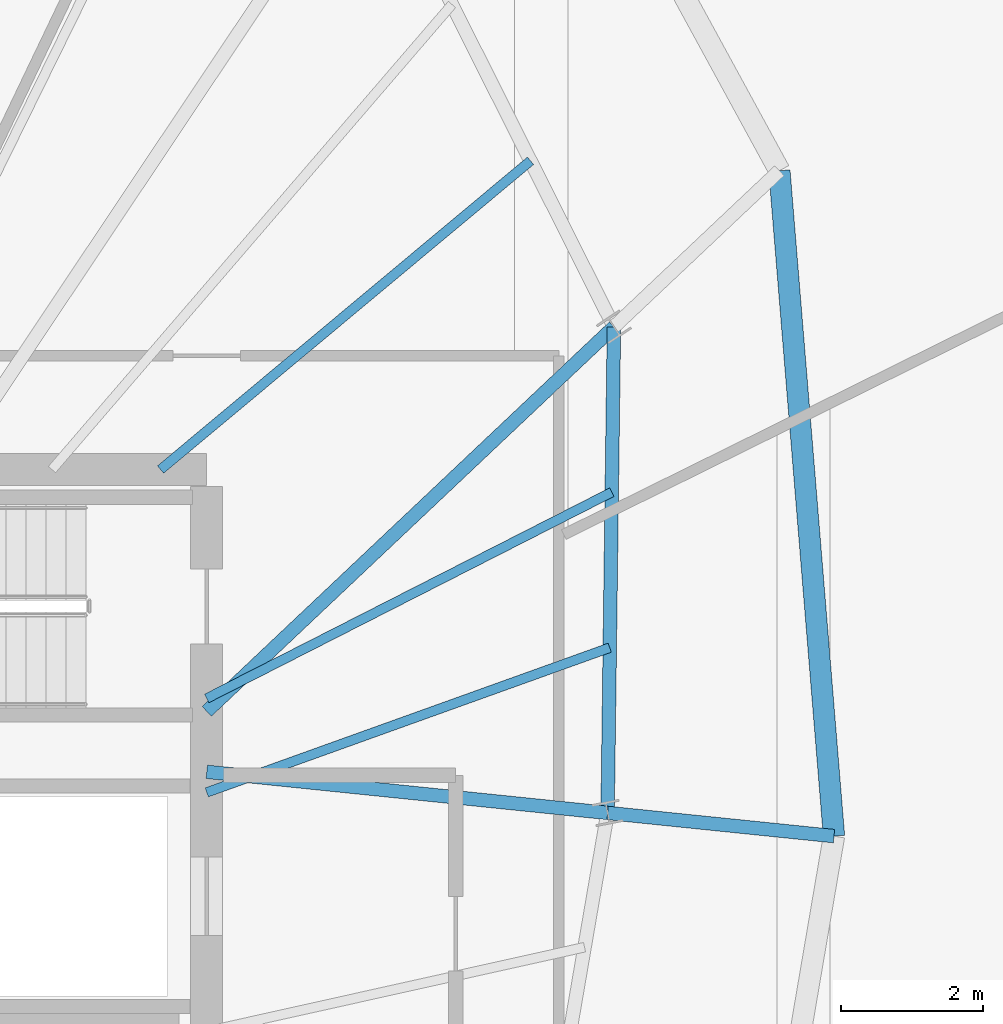
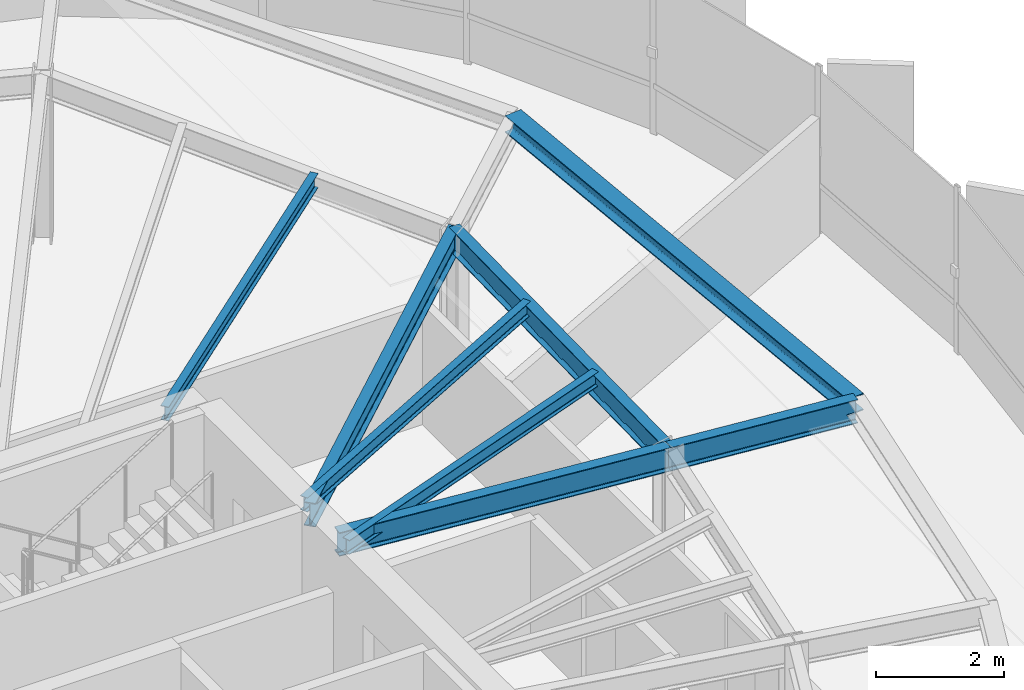
# One storey, part 16 of 33: 8 beams.
"""IFC4 building model written with IfcOpenShell, lengths in metres."""

from ifc_helpers import new_model, si_unit, direction, frame, origin, origin_2d, place, context, subcontext, project, spatial, i_section, extrude, source, transform, mapped, material, material_profile, profile_set, type_object, element, save


model = new_model("IFC4")

# Units and contexts
model_context = context("Model", 3, precision=1e-05, world=origin(), true_north=direction((0.0, 1.0)))
body_context = subcontext(model_context, "Body", "Model", "MODEL_VIEW")
ifc_project = project(units=[si_unit("LENGTHUNIT", "METRE"), si_unit("AREAUNIT", "SQUARE_METRE"), si_unit("VOLUMEUNIT", "CUBIC_METRE"), si_unit("PLANEANGLEUNIT", "RADIAN"), si_unit("MASSUNIT", "GRAM", prefix="KILO"), si_unit("THERMODYNAMICTEMPERATUREUNIT", "KELVIN")], contexts=[model_context])

# Site, building, storey
site_placement = place(None, origin())
site = spatial("IfcSite", under=ifc_project, at=site_placement, CompositionType="ELEMENT")
building_placement = place(site_placement, origin())
building = spatial("IfcBuilding", under=site, at=building_placement, Name="Kethvar Cultural Tower", CompositionType="ELEMENT")
storey_placement = place(building_placement, frame((0.0, 0.0, 235.300048828125)))
storey = spatial("IfcBuildingStorey", under=building, at=storey_placement, Name="L61", CompositionType="ELEMENT", Elevation=235.300048828125)

# Beams
ifc_material = material(Name="Steel S355J2", Category="steel")
ifc_material_profile_1 = material_profile(ifc_material, i_section(OverallWidth=0.18994140625, OverallDepth=0.449951171875, WebThickness=0.009521484375, FlangeThickness=0.0146484375, FilletRadius=0.02099609375, at=origin_2d()), Name="Steel S355J2 — IPE450")
ifc_profile_set_1 = profile_set([ifc_material_profile_1], Name="Steel S355J2 — IPE450")
beam_type_1 = type_object("IfcBeamType", Name="BM-IPE450", PredefinedType="BEAM", material=ifc_profile_set_1)
shared_shape_1 = source(origin(), body_context, "Body", "SweptSolid", [
    extrude(i_section(OverallWidth=0.18994140625, OverallDepth=0.449951171875, WebThickness=0.009521484375, FlangeThickness=0.0146484375, FilletRadius=0.02099609375, at=origin_2d()), origin(), (0.0, 0.0, 1.0), 5.66650390625),
])
beam_1_placement = place(storey_placement, frame((55.60009765625, 31.25, 2.98291015625), z_axis=(0.994777513459, -0.102067128476, 0.0), x_axis=(0.102067128476, 0.994777513459, 0.0)))
element("IfcBeam", 1, at=beam_1_placement, inside=storey, type_object=beam_type_1, Name="L61 Primary Radial Beam RB-01", PredefinedType="BEAM", context=body_context, shape_type="MappedRepresentation", body=[
    mapped(shared_shape_1, transform((0.0, 0.0, 0.0), scale=1.0)),
])
shared_shape_2 = source(origin(), body_context, "Body", "SweptSolid", [
    extrude(i_section(OverallWidth=0.18994140625, OverallDepth=0.449951171875, WebThickness=0.009521484375, FlangeThickness=0.0146484375, FilletRadius=0.02099609375, at=origin_2d()), origin(), (0.0, 0.0, 1.0), 3.199951171875),
])
beam_2_placement = place(storey_placement, frame((61.237060546875, 30.671630859375, 2.98291015625), z_axis=(0.994784019447, -0.10200369921, 0.0), x_axis=(0.10200369921, 0.994784019447, 0.0)))
element("IfcBeam", 2, at=beam_2_placement, inside=storey, type_object=beam_type_1, Name="L61 Perimeter Cantilever Beam RC-01", PredefinedType="BEAM", context=body_context, shape_type="MappedRepresentation", body=[
    mapped(shared_shape_2, transform((0.0, 0.0, 0.0), scale=1.0)),
])
shared_shape_3 = source(origin(), body_context, "Body", "SweptSolid", [
    extrude(i_section(OverallWidth=0.18994140625, OverallDepth=0.449951171875, WebThickness=0.009521484375, FlangeThickness=0.0146484375, FilletRadius=0.02099609375, at=origin_2d()), origin(), (0.0, 0.0, 1.0), 7.874267578125),
])
beam_3_placement = place(storey_placement, frame((55.60009765625, 32.10009765625, 2.98291015625), z_axis=(0.727123202456, 0.686506990823, 0.0), x_axis=(-0.686506990823, 0.727123202456, 0.0)))
element("IfcBeam", 3, at=beam_3_placement, inside=storey, type_object=beam_type_1, Name="L61 Primary Radial Beam RB-02", PredefinedType="BEAM", context=body_context, shape_type="MappedRepresentation", body=[
    mapped(shared_shape_3, transform((0.0, 0.0, 0.0), scale=1.0)),
])
shared_shape_4 = source(origin(), body_context, "Body", "SweptSolid", [
    extrude(i_section(OverallWidth=0.18994140625, OverallDepth=0.449951171875, WebThickness=0.009521484375, FlangeThickness=0.0146484375, FilletRadius=0.02099609375, at=origin_2d()), origin(), (0.0, 0.0, 1.0), 6.834716796875),
])
beam_4_placement = place(storey_placement, frame((61.237060546875, 30.671630859375, 2.98291015625), z_axis=(0.012966437445, 0.999915932216, 0.0), x_axis=(-0.999915932216, 0.012966437445, 0.0)))
element("IfcBeam", 4, at=beam_4_placement, inside=storey, type_object=beam_type_1, Name="L61 Column Ring Tie Beam CR-01", PredefinedType="BEAM", context=body_context, shape_type="MappedRepresentation", body=[
    mapped(shared_shape_4, transform((0.0, 0.0, 0.0), scale=1.0)),
])
ifc_material_profile_2 = material_profile(ifc_material, i_section(OverallWidth=0.300048828125, OverallDepth=0.320068359375, WebThickness=0.011474609375, FlangeThickness=0.0205078125, FilletRadius=0.027099609375, at=origin_2d()), Name="Steel S355J2 — HEB320")
ifc_profile_set_2 = profile_set([ifc_material_profile_2], Name="Steel S355J2 — HEB320")
beam_type_2 = type_object("IfcBeamType", Name="BM-SP320", PredefinedType="SPANDREL", material=ifc_profile_set_2)
shared_shape_5 = source(origin(), body_context, "Body", "SweptSolid", [
    extrude(i_section(OverallWidth=0.300048828125, OverallDepth=0.320068359375, WebThickness=0.011474609375, FlangeThickness=0.0205078125, FilletRadius=0.027099609375, at=origin_2d()), origin(), (0.0, 0.0, 1.0), 9.388916015625),
])
beam_5_placement = place(storey_placement, frame((64.42041015625, 30.34521484375, 3.0478515625), z_axis=(-0.08178004371, 0.996650402323, 0.0), x_axis=(-0.996650402323, -0.08178004371, 0.0)))
element("IfcBeam", 5, at=beam_5_placement, inside=storey, type_object=beam_type_2, Name="L61 Perimeter Spandrel Beam SP-01", PredefinedType="SPANDREL", context=body_context, shape_type="MappedRepresentation", body=[
    mapped(shared_shape_5, transform((0.0, 0.0, 0.0), scale=1.0)),
])
ifc_material_profile_3 = material_profile(ifc_material, i_section(OverallWidth=0.135009765625, OverallDepth=0.27001953125, WebThickness=0.006591796875, FlangeThickness=0.01025390625, FilletRadius=0.014892578125, at=origin_2d()), Name="Steel S355J2 — IPE270")
ifc_profile_set_3 = profile_set([ifc_material_profile_3], Name="Steel S355J2 — IPE270")
beam_type_3 = type_object("IfcBeamType", Name="BM-J270", PredefinedType="JOIST", material=ifc_profile_set_3)
shared_shape_6 = source(origin(), body_context, "Body", "SweptSolid", [
    extrude(i_section(OverallWidth=0.135009765625, OverallDepth=0.27001953125, WebThickness=0.006591796875, FlangeThickness=0.01025390625, FilletRadius=0.014892578125, at=origin_2d()), origin(), (0.0, 0.0, 1.0), 6.021240234375),
])
beam_6_placement = place(storey_placement, frame((55.60009765625, 30.960205078125, 3.072998046875), z_axis=(0.94114970072, 0.337990001086, 0.0), x_axis=(-0.337990001086, 0.94114970072, 0.0)))
element("IfcBeam", 6, at=beam_6_placement, inside=storey, type_object=beam_type_3, Name="L61 Composite Floor Joist J-01A", PredefinedType="JOIST", context=body_context, shape_type="MappedRepresentation", body=[
    mapped(shared_shape_6, transform((0.0, 0.0, 0.0), scale=1.0)),
])
shared_shape_7 = source(origin(), body_context, "Body", "SweptSolid", [
    extrude(i_section(OverallWidth=0.135009765625, OverallDepth=0.27001953125, WebThickness=0.006591796875, FlangeThickness=0.01025390625, FilletRadius=0.014892578125, at=origin_2d()), origin(), (0.0, 0.0, 1.0), 6.3916015625),
])
beam_7_placement = place(storey_placement, frame((55.60009765625, 32.281494140625, 3.072998046875), z_axis=(0.891094874615, 0.453817060538, 0.0), x_axis=(-0.453817060538, 0.891094874615, 0.0)))
element("IfcBeam", 7, at=beam_7_placement, inside=storey, type_object=beam_type_3, Name="L61 Composite Floor Joist J-01B", PredefinedType="JOIST", context=body_context, shape_type="MappedRepresentation", body=[
    mapped(shared_shape_7, transform((0.0, 0.0, 0.0), scale=1.0)),
])
shared_shape_8 = source(origin(), body_context, "Body", "SweptSolid", [
    extrude(i_section(OverallWidth=0.135009765625, OverallDepth=0.27001953125, WebThickness=0.006591796875, FlangeThickness=0.01025390625, FilletRadius=0.014892578125, at=origin_2d()), origin(), (0.0, 0.0, 1.0), 6.776123046875),
])
beam_8_placement = place(storey_placement, frame((54.949951171875, 35.5, 3.072998046875), z_axis=(0.767801747857, 0.6406875026, 0.0), x_axis=(-0.6406875026, 0.767801747857, 0.0)))
element("IfcBeam", 8, at=beam_8_placement, inside=storey, type_object=beam_type_3, Name="L61 Composite Floor Joist J-02A", PredefinedType="JOIST", context=body_context, shape_type="MappedRepresentation", body=[
    mapped(shared_shape_8, transform((0.0, 0.0, 0.0), scale=1.0)),
])

save(model, "model.ifc")
